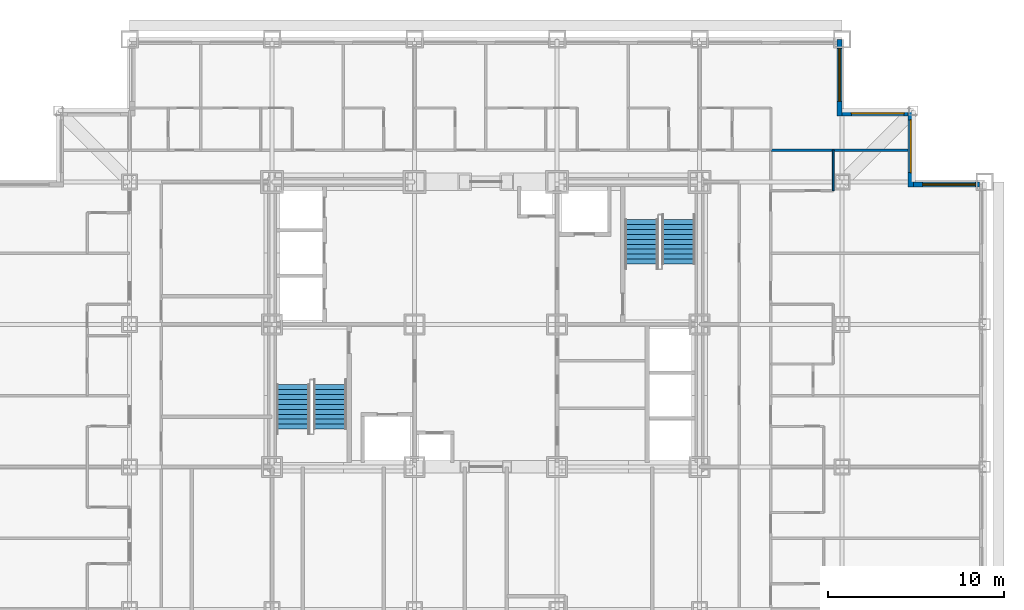
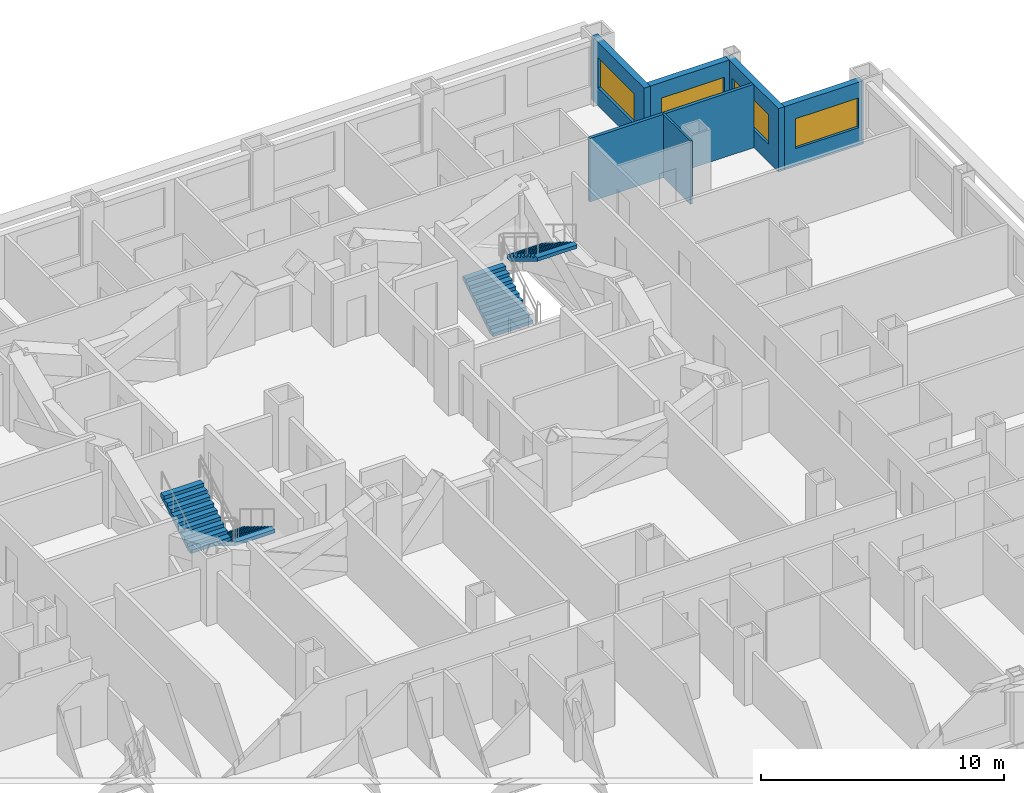
# One storey, part 11 of 12: 6 walls, 4 stair flights, 4 windows, 4 openings, 2 elements without a shape of their own.
"""IFC4 building model written with IfcOpenShell, lengths in metres."""

from ifc_helpers import new_model, si_unit, direction, frame, frame_2d, origin, place, context, subcontext, project, spatial, rectangle, extrude, polygons, source, transform, mapped, material, layer, layer_set, type_object, element, fill, aggregate, save


model = new_model("IFC4")

# Units and contexts
model_context = context("Model", 3, precision=1e-05, world=origin(), true_north=direction((0.0, 1.0)))
body_context = subcontext(model_context, "Body", "Model", "MODEL_VIEW")
ifc_project = project(units=[si_unit("LENGTHUNIT", "METRE"), si_unit("AREAUNIT", "SQUARE_METRE"), si_unit("VOLUMEUNIT", "CUBIC_METRE"), si_unit("PLANEANGLEUNIT", "RADIAN"), si_unit("MASSUNIT", "GRAM", prefix="KILO")], contexts=[model_context])

# Site, building, storey
site_placement = place(None, origin())
site = spatial("IfcSite", under=ifc_project, at=site_placement, CompositionType="ELEMENT")
building_placement = place(site_placement, origin())
building = spatial("IfcBuilding", under=site, at=building_placement, Name="Kopane Lantern Tower", CompositionType="ELEMENT")
storey_placement = place(building_placement, frame((0.0, 0.0, 70.39990234375)))
storey = spatial("IfcBuildingStorey", under=building, at=storey_placement, Name="L17", CompositionType="ELEMENT", Elevation=70.39990234375)

# Walls
ifc_material_1 = material(Name="Moisture-resistant board on steel studs", Category="steel")
ifc_layer_1 = layer(ifc_material_1, 0.10009765625)
ifc_layer_set_1 = layer_set([ifc_layer_1], Name="BATHROOM WALL 100")
wall_type_1 = type_object("IfcWallType", Name="BATHROOM WALL 100", PredefinedType="PARTITIONING", material=ifc_layer_set_1)
wall_1_placement = place(storey_placement, frame((48.090087890625, 40.0, 0.0), z_axis=(0.0, 0.0, 1.0), x_axis=(0.0, 1.0, 0.0)))
element("IfcWall", 1, at=wall_1_placement, inside=storey, type_object=wall_type_1, Name="Bathroom Wall 100 L17", PredefinedType="PARTITIONING", context=body_context, shape_type="SweptSolid", body=[
    extrude(rectangle(XDim=2.300048828125, YDim=0.10009765625, at=frame_2d((1.14990234375, 0.0))), origin(), (0.0, 0.0, 1.0), 3.190185546875),
])
ifc_material_2 = material(Name="Gypsum board on steel studs", Category="steel")
ifc_layer_2 = layer(ifc_material_2, 0.14990234375)
ifc_layer_set_2 = layer_set([ifc_layer_2], Name="DEMISING WALL 150 EI 60")
wall_type_2 = type_object("IfcWallType", Name="DEMISING WALL 150 EI 60", PredefinedType="PARTITIONING", material=ifc_layer_set_2)
wall_2_placement = place(storey_placement, frame((44.550048828125, 42.300048828125, 0.0), z_axis=(0.0, 0.0, 1.0), x_axis=(1.0, 0.0, 0.0)))
element("IfcWall", 2, at=wall_2_placement, inside=storey, type_object=wall_type_2, Name="Demising Wall 150 Ei 60 L17", PredefinedType="PARTITIONING", context=body_context, shape_type="SweptSolid", body=[
    extrude(rectangle(XDim=7.800048828125, YDim=0.14990234375, at=frame_2d((3.89990234375, 0.0))), origin(), (0.0, 0.0, 1.0), 3.190185546875),
])

# Wall, opening, window
ifc_material_3 = material(Name="Terracotta rainscreen on light steel framing", Category="masonry")
ifc_layer_3 = layer(ifc_material_3, 0.300048828125)
ifc_layer_set_3 = layer_set([ifc_layer_3], Name="EXTERNAL WALL EW1 300 TERRACOTTA")
wall_type_3 = type_object("IfcWallType", Name="EXTERNAL WALL EW1 300 TERRACOTTA", PredefinedType="SOLIDWALL", material=ifc_layer_set_3)
wall_3_placement = place(storey_placement, frame((56.39990234375, 40.35009765625, 0.0), z_axis=(0.0, 0.0, 1.0), x_axis=(-1.0, 0.0, 0.0)))
wall_3 = element("IfcWall", 3, at=wall_3_placement, inside=storey, type_object=wall_type_3, Name="External wall N L17", PredefinedType="SOLIDWALL", context=body_context, shape_type="SweptSolid", body=[
    extrude(rectangle(XDim=3.75, YDim=0.300048828125, at=frame_2d((1.875, 0.0))), origin(), (0.0, 0.0, 1.0), 3.190185546875),
])
opening_1_placement = place(wall_3_placement, frame((0.22509765625, 0.0, 0.89990234375)))
opening_1 = element("IfcOpeningElement", 4, at=opening_1_placement, cuts=wall_3, Name="Opening WR300150", PredefinedType="OPENING", context=body_context, shape_type="SweptSolid", body=[
    extrude(rectangle(XDim=3.0, YDim=1.5, at=frame_2d((1.5, 0.75))), frame((0.0, 0.159912109375, 0.0), z_axis=(0.0, -1.0, 0.0), x_axis=(1.0, 0.0, 0.0)), (0.0, 0.0, 1.0), 0.320068359375),
])
ifc_material_4 = material(Name="Aluminium and clear glass", Category="aluminium")
window_type = type_object("IfcWindowType", Name="RIBBON WINDOW WR300150 3000x1500", PartitioningType="SINGLE_PANEL", PredefinedType="WINDOW", material=ifc_material_4)
window_1_placement = place(opening_1_placement, origin())
window_1 = element("IfcWindow", 5, at=window_1_placement, inside=storey, type_object=window_type, Name="Window N L17", OverallHeight=1.5, OverallWidth=3.0, PartitioningType="SINGLE_PANEL", PredefinedType="WINDOW", context=body_context, shape_type="SweptSolid", body=[
    extrude(rectangle(XDim=3.0, YDim=1.5, at=frame_2d((1.5, 0.75))), frame((0.0, 0.030029296875, 0.0), z_axis=(0.0, -1.0, 0.0), x_axis=(1.0, 0.0, 0.0)), (0.0, 0.0, 1.0), 0.06005859375),
])
fill(opening_1, window_1)

wall_4_placement = place(storey_placement, frame((52.5, 40.199951171875, 0.0), z_axis=(0.0, 0.0, 1.0), x_axis=(0.0, 1.0, 0.0)))
wall_4 = element("IfcWall", 6, at=wall_4_placement, inside=storey, type_object=wall_type_3, Name="External wall E L17", PredefinedType="SOLIDWALL", context=body_context, shape_type="SweptSolid", body=[
    extrude(rectangle(XDim=4.35009765625, YDim=0.300048828125, at=frame_2d((2.175048828125, 0.0))), origin(), (0.0, 0.0, 1.0), 3.190185546875),
])
opening_2_placement = place(wall_4_placement, frame((0.824951171875, 0.0, 0.89990234375)))
opening_2 = element("IfcOpeningElement", 7, at=opening_2_placement, cuts=wall_4, Name="Opening WR300150", PredefinedType="OPENING", context=body_context, shape_type="SweptSolid", body=[
    extrude(rectangle(XDim=3.0, YDim=1.5, at=frame_2d((1.5, 0.75))), frame((0.0, 0.159912109375, 0.0), z_axis=(0.0, -1.0, 0.0), x_axis=(1.0, 0.0, 0.0)), (0.0, 0.0, 1.0), 0.320068359375),
])
window_2_placement = place(opening_2_placement, origin())
window_2 = element("IfcWindow", 8, at=window_2_placement, inside=storey, type_object=window_type, Name="Window E L17", OverallHeight=1.5, OverallWidth=3.0, PartitioningType="SINGLE_PANEL", PredefinedType="WINDOW", context=body_context, shape_type="SweptSolid", body=[
    extrude(rectangle(XDim=3.0, YDim=1.5, at=frame_2d((1.5, 0.75))), frame((0.0, 0.030029296875, 0.0), z_axis=(0.0, -1.0, 0.0), x_axis=(1.0, 0.0, 0.0)), (0.0, 0.0, 1.0), 0.06005859375),
])
fill(opening_2, window_2)

wall_5_placement = place(storey_placement, frame((52.35009765625, 44.39990234375, 0.0), z_axis=(0.0, 0.0, 1.0), x_axis=(-1.0, 0.0, 0.0)))
wall_5 = element("IfcWall", 9, at=wall_5_placement, inside=storey, type_object=wall_type_3, Name="External wall N L17", PredefinedType="SOLIDWALL", context=body_context, shape_type="SweptSolid", body=[
    extrude(rectangle(XDim=3.75, YDim=0.300048828125, at=frame_2d((1.875, 0.0))), origin(), (0.0, 0.0, 1.0), 3.190185546875),
])
opening_3_placement = place(wall_5_placement, frame((0.22509765625, 0.0, 0.89990234375)))
opening_3 = element("IfcOpeningElement", 10, at=opening_3_placement, cuts=wall_5, Name="Opening WR300150", PredefinedType="OPENING", context=body_context, shape_type="SweptSolid", body=[
    extrude(rectangle(XDim=3.0, YDim=1.5, at=frame_2d((1.5, 0.75))), frame((0.0, 0.159912109375, 0.0), z_axis=(0.0, -1.0, 0.0), x_axis=(1.0, 0.0, 0.0)), (0.0, 0.0, 1.0), 0.320068359375),
])
window_3_placement = place(opening_3_placement, origin())
window_3 = element("IfcWindow", 11, at=window_3_placement, inside=storey, type_object=window_type, Name="Window N L17", OverallHeight=1.5, OverallWidth=3.0, PartitioningType="SINGLE_PANEL", PredefinedType="WINDOW", context=body_context, shape_type="SweptSolid", body=[
    extrude(rectangle(XDim=3.0, YDim=1.5, at=frame_2d((1.5, 0.75))), frame((0.0, 0.030029296875, 0.0), z_axis=(0.0, -1.0, 0.0), x_axis=(1.0, 0.0, 0.0)), (0.0, 0.0, 1.0), 0.06005859375),
])
fill(opening_3, window_3)

wall_6_placement = place(storey_placement, frame((48.449951171875, 44.25, 0.0), z_axis=(0.0, 0.0, 1.0), x_axis=(0.0, 1.0, 0.0)))
wall_6 = element("IfcWall", 12, at=wall_6_placement, inside=storey, type_object=wall_type_3, Name="External wall E L17", PredefinedType="SOLIDWALL", context=body_context, shape_type="SweptSolid", body=[
    extrude(rectangle(XDim=4.35009765625, YDim=0.300048828125, at=frame_2d((2.175048828125, 0.0))), origin(), (0.0, 0.0, 1.0), 3.190185546875),
])
opening_4_placement = place(wall_6_placement, frame((0.824951171875, 0.0, 0.89990234375)))
opening_4 = element("IfcOpeningElement", 13, at=opening_4_placement, cuts=wall_6, Name="Opening WR300150", PredefinedType="OPENING", context=body_context, shape_type="SweptSolid", body=[
    extrude(rectangle(XDim=3.0, YDim=1.5, at=frame_2d((1.5, 0.75))), frame((0.0, 0.159912109375, 0.0), z_axis=(0.0, -1.0, 0.0), x_axis=(1.0, 0.0, 0.0)), (0.0, 0.0, 1.0), 0.320068359375),
])
window_4_placement = place(opening_4_placement, origin())
window_4 = element("IfcWindow", 14, at=window_4_placement, inside=storey, type_object=window_type, Name="Window E L17", OverallHeight=1.5, OverallWidth=3.0, PartitioningType="SINGLE_PANEL", PredefinedType="WINDOW", context=body_context, shape_type="SweptSolid", body=[
    extrude(rectangle(XDim=3.0, YDim=1.5, at=frame_2d((1.5, 0.75))), frame((0.0, 0.030029296875, 0.0), z_axis=(0.0, -1.0, 0.0), x_axis=(1.0, 0.0, 0.0)), (0.0, 0.0, 1.0), 0.06005859375),
])
fill(opening_4, window_4)

# Stair, stair flights
ifc_material_5 = material(Name="Steel S355JR", Category="steel")
stair_type = type_object("IfcStairType", Name="EXIT STAIR 1900 HALF TURN", PredefinedType="HALF_TURN_STAIR", material=ifc_material_5)
stair_1_placement = place(storey_placement, origin())
stair_1 = element("IfcStair", 15, at=stair_1_placement, inside=storey, type_object=stair_type, Name="Exit stair ST1 L17", PredefinedType="HALF_TURN_STAIR")
ifc_material_6 = material(Name="Steel S355JR", Category="steel")
stair_flight_type = type_object("IfcStairFlightType", Name="STAIR FLIGHT 1900 STEEL", PredefinedType="STRAIGHT", material=ifc_material_6)
shared_shape = source(origin(), body_context, "Body", "Tessellation", [
    polygons([(2.520019531, 0.949951172, 1.530029297), (2.239990234, 0.949951172, 1.530029297), (2.239990234, -0.949951172, 1.530029297), (2.520019531, -0.949951172, 1.530029297), (0.288818359, 0.949951172, 0.0), (2.520019531, 0.949951172, 1.354736328), (2.520019531, -0.949951172, 1.354736328), (0.288818359, -0.949951172, 0.0), (0.0, 0.949951172, 0.0), (0.0, -0.949951172, 0.0), (0.280029297, 0.949951172, 0.169921875), (0.0, 0.949951172, 0.169921875), (0.0, -0.949951172, 0.169921875), (0.280029297, -0.949951172, 0.169921875), (0.280029297, 0.949951172, 0.340087891), (0.280029297, -0.949951172, 0.340087891), (0.560058594, 0.949951172, 0.340087891), (0.560058594, -0.949951172, 0.340087891), (0.560058594, 0.949951172, 0.510009766), (0.560058594, -0.949951172, 0.510009766), (0.840087891, 0.949951172, 0.510009766), (0.840087891, -0.949951172, 0.510009766), (0.840087891, 0.949951172, 0.679931641), (0.840087891, -0.949951172, 0.679931641), (1.120117188, 0.949951172, 0.679931641), (1.120117188, -0.949951172, 0.679931641), (1.120117188, 0.949951172, 0.850097656), (1.120117188, -0.949951172, 0.850097656), (1.399902344, 0.949951172, 0.850097656), (1.399902344, -0.949951172, 0.850097656), (1.399902344, 0.949951172, 1.020019531), (1.399902344, -0.949951172, 1.020019531), (1.679931641, 0.949951172, 1.020019531), (1.679931641, -0.949951172, 1.020019531), (1.679931641, 0.949951172, 1.189941406), (1.679931641, -0.949951172, 1.189941406), (1.959960938, 0.949951172, 1.189941406), (1.959960938, -0.949951172, 1.189941406), (1.959960938, 0.949951172, 1.360107422), (1.959960938, -0.949951172, 1.360107422), (2.239990234, 0.949951172, 1.360107422), (2.239990234, -0.949951172, 1.360107422), (0.0, 0.0, 0.004592483), (0.0, 0.0, 0.009184966), (0.0, 0.0, 0.013777449), (0.0, 0.0, 0.018369932), (0.0, 0.0, 0.022962416), (0.0, 0.0, 0.027554899), (0.0, 0.0, 0.032147382), (0.0, 0.0, 0.036739865), (0.0, 0.0, 0.041332348), (0.0, 0.0, 0.045924831), (0.0, 0.0, 0.050517314), (0.0, 0.0, 0.055109797), (0.0, 0.0, 0.05970228), (0.0, 0.0, 0.064294764), (0.0, 0.0, 0.068887247), (0.0, 0.0, 0.07347973), (0.0, 0.0, 0.078072213), (0.0, 0.0, 0.082664696), (0.0, 0.0, 0.087257179), (0.0, 0.0, 0.091849662), (0.0, 0.0, 0.096442145), (0.0, 0.0, 0.101034628), (0.0, 0.0, 0.105627111), (0.0, 0.0, 0.110219595), (0.0, 0.0, 0.114812078), (0.0, 0.0, 0.119404561), (0.0, 0.0, 0.123997044), (0.0, 0.0, 0.128589527), (0.0, 0.0, 0.13318201), (0.0, 0.0, 0.137774493), (0.0, 0.0, 0.142366976), (0.0, 0.0, 0.146959459), (0.0, 0.0, 0.151551943), (0.0, 0.0, 0.156144426), (0.0, 0.0, 0.160736909), (0.0, 0.0, 0.165329392), (2.520019531, 0.0, 1.359473976), (2.520019531, 0.0, 1.364211624), (2.520019531, 0.0, 1.368949272), (2.520019531, 0.0, 1.373686919), (2.520019531, 0.0, 1.378424567), (2.520019531, 0.0, 1.383162215), (2.520019531, 0.0, 1.387899863), (2.520019531, 0.0, 1.392637511), (2.520019531, 0.0, 1.397375158), (2.520019531, 0.0, 1.402112806), (2.520019531, 0.0, 1.406850454), (2.520019531, 0.0, 1.411588102), (2.520019531, 0.0, 1.41632575), (2.520019531, 0.0, 1.421063397), (2.520019531, 0.0, 1.425801045), (2.520019531, 0.0, 1.430538693), (2.520019531, 0.0, 1.435276341), (2.520019531, 0.0, 1.440013989), (2.520019531, 0.0, 1.444751636), (2.520019531, 0.0, 1.449489284), (2.520019531, 0.0, 1.454226932), (2.520019531, 0.0, 1.45896458), (2.520019531, 0.0, 1.463702228), (2.520019531, 0.0, 1.468439875), (2.520019531, 0.0, 1.473177523), (2.520019531, 0.0, 1.477915171), (2.520019531, 0.0, 1.482652819), (2.520019531, 0.0, 1.487390467), (2.520019531, 0.0, 1.492128114), (2.520019531, 0.0, 1.496865762), (2.520019531, 0.0, 1.50160341), (2.520019531, 0.0, 1.506341058), (2.520019531, 0.0, 1.511078706), (2.520019531, 0.0, 1.515816353), (2.520019531, 0.0, 1.520554001), (2.520019531, 0.0, 1.525291649)], [[[1, 2, 3]], [[1, 3, 4]], [[5, 6, 7]], [[5, 7, 8]], [[9, 5, 8]], [[9, 8, 10]], [[11, 12, 13]], [[11, 13, 14]], [[15, 11, 14]], [[15, 14, 16]], [[17, 15, 16]], [[17, 16, 18]], [[19, 17, 18]], [[19, 18, 20]], [[21, 19, 20]], [[21, 20, 22]], [[23, 21, 22]], [[23, 22, 24]], [[25, 23, 24]], [[25, 24, 26]], [[27, 25, 26]], [[27, 26, 28]], [[29, 27, 28]], [[29, 28, 30]], [[31, 29, 30]], [[31, 30, 32]], [[33, 31, 32]], [[33, 32, 34]], [[35, 33, 34]], [[35, 34, 36]], [[37, 35, 36]], [[37, 36, 38]], [[39, 37, 38]], [[39, 38, 40]], [[41, 39, 40]], [[41, 40, 42]], [[2, 41, 42]], [[2, 42, 3]], [[41, 1, 6]], [[37, 41, 6]], [[2, 1, 41]], [[33, 37, 6]], [[39, 41, 37]], [[35, 37, 33]], [[31, 33, 29]], [[5, 21, 25]], [[27, 29, 25]], [[17, 21, 5]], [[23, 25, 21]], [[11, 17, 5]], [[19, 21, 17]], [[9, 11, 5]], [[15, 17, 11]], [[12, 11, 9]], [[6, 5, 25]], [[6, 25, 29]], [[6, 29, 33]], [[7, 4, 42]], [[7, 42, 38]], [[42, 4, 3]], [[7, 38, 34]], [[38, 42, 40]], [[34, 38, 36]], [[30, 34, 32]], [[26, 22, 8]], [[26, 30, 28]], [[8, 22, 18]], [[22, 26, 24]], [[8, 18, 14]], [[18, 22, 20]], [[8, 14, 10]], [[14, 18, 16]], [[10, 14, 13]], [[26, 8, 7]], [[30, 26, 7]], [[34, 30, 7]], [[10, 43, 9]], [[10, 44, 43]], [[9, 43, 44]], [[10, 45, 44]], [[9, 44, 45]], [[10, 46, 45]], [[9, 45, 46]], [[10, 47, 46]], [[9, 46, 47]], [[10, 48, 47]], [[9, 47, 48]], [[10, 49, 48]], [[9, 48, 49]], [[10, 50, 49]], [[9, 49, 50]], [[10, 51, 50]], [[9, 50, 51]], [[10, 52, 51]], [[9, 51, 52]], [[10, 53, 52]], [[9, 52, 53]], [[10, 54, 53]], [[9, 53, 54]], [[10, 55, 54]], [[9, 54, 55]], [[10, 56, 55]], [[9, 55, 56]], [[10, 57, 56]], [[9, 56, 57]], [[10, 58, 57]], [[9, 57, 58]], [[10, 59, 58]], [[9, 58, 59]], [[10, 60, 59]], [[9, 59, 60]], [[10, 61, 60]], [[9, 60, 61]], [[10, 62, 61]], [[9, 61, 62]], [[10, 63, 62]], [[9, 62, 63]], [[10, 64, 63]], [[9, 63, 64]], [[10, 65, 64]], [[9, 64, 65]], [[10, 66, 65]], [[9, 65, 66]], [[10, 67, 66]], [[9, 66, 67]], [[10, 68, 67]], [[9, 67, 68]], [[10, 69, 68]], [[9, 68, 69]], [[10, 70, 69]], [[9, 69, 70]], [[10, 71, 70]], [[9, 70, 71]], [[10, 72, 71]], [[9, 71, 72]], [[10, 73, 72]], [[9, 72, 73]], [[10, 74, 73]], [[9, 73, 74]], [[10, 75, 74]], [[9, 74, 75]], [[10, 76, 75]], [[9, 75, 76]], [[10, 77, 76]], [[9, 76, 77]], [[10, 78, 77]], [[9, 77, 78]], [[10, 13, 78]], [[78, 13, 12]], [[9, 78, 12]], [[7, 6, 79]], [[7, 79, 80]], [[6, 80, 79]], [[7, 80, 81]], [[6, 81, 80]], [[7, 81, 82]], [[6, 82, 81]], [[7, 82, 83]], [[6, 83, 82]], [[7, 83, 84]], [[6, 84, 83]], [[7, 84, 85]], [[6, 85, 84]], [[7, 85, 86]], [[6, 86, 85]], [[7, 86, 87]], [[6, 87, 86]], [[7, 87, 88]], [[6, 88, 87]], [[7, 88, 89]], [[6, 89, 88]], [[7, 89, 90]], [[6, 90, 89]], [[7, 90, 91]], [[6, 91, 90]], [[7, 91, 92]], [[6, 92, 91]], [[7, 92, 93]], [[6, 93, 92]], [[7, 93, 94]], [[6, 94, 93]], [[7, 94, 95]], [[6, 95, 94]], [[7, 95, 96]], [[6, 96, 95]], [[7, 96, 97]], [[6, 97, 96]], [[7, 97, 98]], [[6, 98, 97]], [[7, 98, 99]], [[6, 99, 98]], [[7, 99, 100]], [[6, 100, 99]], [[7, 100, 101]], [[6, 101, 100]], [[7, 101, 102]], [[6, 102, 101]], [[7, 102, 103]], [[6, 103, 102]], [[7, 103, 104]], [[6, 104, 103]], [[7, 104, 105]], [[6, 105, 104]], [[7, 105, 106]], [[6, 106, 105]], [[7, 106, 107]], [[6, 107, 106]], [[7, 107, 108]], [[6, 108, 107]], [[7, 108, 109]], [[6, 109, 108]], [[7, 109, 110]], [[6, 110, 109]], [[7, 110, 111]], [[6, 111, 110]], [[7, 111, 112]], [[6, 112, 111]], [[7, 112, 113]], [[6, 113, 112]], [[7, 113, 114]], [[6, 114, 113]], [[7, 114, 4]], [[114, 1, 4]], [[6, 1, 114]]], closed=True),
])
stair_flight_1_placement = place(storey_placement, frame((19.5, 28.969970703125, 0.0), z_axis=(0.0, 0.0, 1.0), x_axis=(0.0, -1.0, 0.0)))
stair_flight_1 = element("IfcStairFlight", 16, at=stair_flight_1_placement, type_object=stair_flight_type, Name="ST1 flight 1", NumberOfRisers=10, NumberOfTreads=9, PredefinedType="STRAIGHT", RiserHeight=0.17, TreadLength=0.28, context=body_context, shape_type="MappedRepresentation", body=[
    mapped(shared_shape, transform((0.0, 0.0, 0.0))),
])
stair_flight_2_placement = place(storey_placement, frame((17.39990234375, 26.449951171875, 1.7001953125), z_axis=(0.0, 0.0, 1.0), x_axis=(0.0, 1.0, 0.0)))
stair_flight_2 = element("IfcStairFlight", 17, at=stair_flight_2_placement, type_object=stair_flight_type, Name="ST1 flight 2", NumberOfRisers=10, NumberOfTreads=9, PredefinedType="STRAIGHT", RiserHeight=0.17, TreadLength=0.28, context=body_context, shape_type="MappedRepresentation", body=[
    mapped(shared_shape, transform((0.0, 0.0, 0.0))),
])
aggregate(stair_1, [stair_flight_1, stair_flight_2])

stair_2_placement = place(storey_placement, origin())
stair_2 = element("IfcStair", 18, at=stair_2_placement, inside=storey, type_object=stair_type, Name="Exit stair ST2 L17", PredefinedType="HALF_TURN_STAIR")
stair_flight_3_placement = place(storey_placement, frame((37.199951171875, 35.830078125, 0.0), z_axis=(0.0, 0.0, 1.0), x_axis=(0.0, 1.0, 0.0)))
stair_flight_3 = element("IfcStairFlight", 19, at=stair_flight_3_placement, type_object=stair_flight_type, Name="ST2 flight 1", NumberOfRisers=10, NumberOfTreads=9, PredefinedType="STRAIGHT", RiserHeight=0.17, TreadLength=0.28, context=body_context, shape_type="MappedRepresentation", body=[
    mapped(shared_shape, transform((0.0, 0.0, 0.0))),
])
stair_flight_4_placement = place(storey_placement, frame((39.300048828125, 38.35009765625, 1.7001953125), z_axis=(0.0, 0.0, 1.0), x_axis=(0.0, -1.0, 0.0)))
stair_flight_4 = element("IfcStairFlight", 20, at=stair_flight_4_placement, type_object=stair_flight_type, Name="ST2 flight 2", NumberOfRisers=10, NumberOfTreads=9, PredefinedType="STRAIGHT", RiserHeight=0.17, TreadLength=0.28, context=body_context, shape_type="MappedRepresentation", body=[
    mapped(shared_shape, transform((0.0, 0.0, 0.0))),
])
aggregate(stair_2, [stair_flight_3, stair_flight_4])

save(model, "model.ifc")
